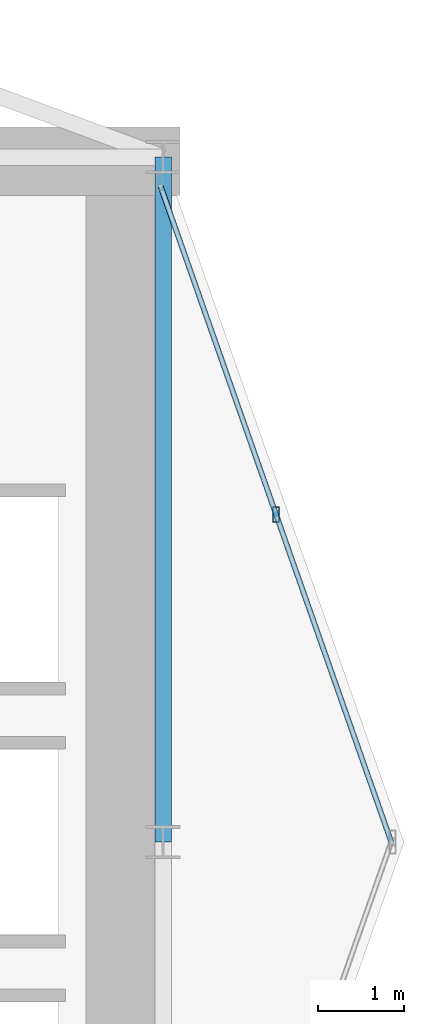
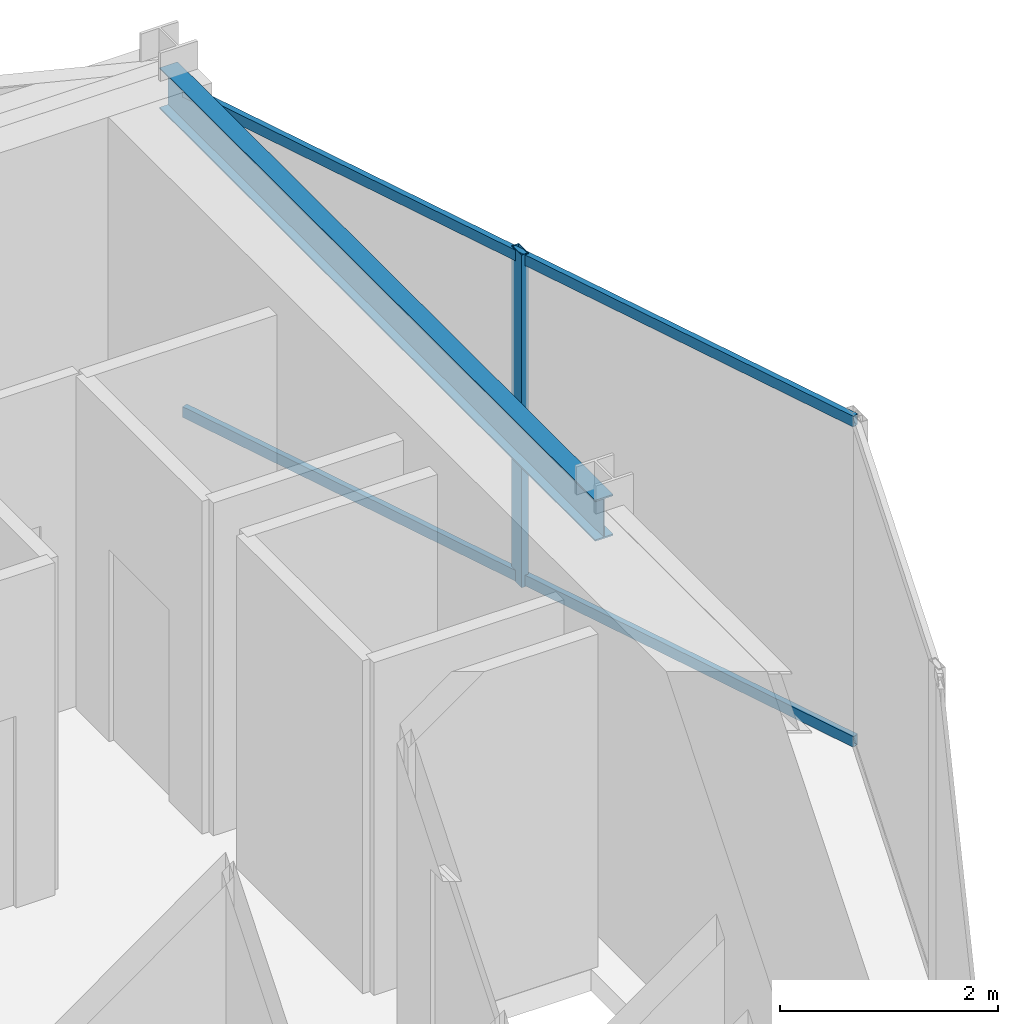
# One storey, part 15 of 23: 3 members, 1 beam, 1 element without a shape of its own.
"""IFC4 building model written with IfcOpenShell, lengths in metres."""

from ifc_helpers import new_model, si_unit, direction, frame, origin, origin_2d, place, context, subcontext, project, spatial, hollow_rectangle, i_section, extrude, material, layer, layer_set, material_profile, profile_set, type_object, element, aggregate, save


model = new_model("IFC4")

# Units and contexts
model_context = context("Model", 3, precision=1e-05, world=origin(), true_north=direction((0.0, 1.0)))
body_context = subcontext(model_context, "Body", "Model", "MODEL_VIEW")
ifc_project = project(units=[si_unit("LENGTHUNIT", "METRE"), si_unit("AREAUNIT", "SQUARE_METRE"), si_unit("VOLUMEUNIT", "CUBIC_METRE"), si_unit("PLANEANGLEUNIT", "RADIAN"), si_unit("MASSUNIT", "GRAM", prefix="KILO")], contexts=[model_context])

# Site, building, storey
site_placement = place(None, origin())
site = spatial("IfcSite", under=ifc_project, at=site_placement, CompositionType="ELEMENT")
building_placement = place(site_placement, origin())
building = spatial("IfcBuilding", under=site, at=building_placement, Name="Veymaron Broadcast Tower", CompositionType="ELEMENT")
storey_placement = place(building_placement, frame((0.0, 0.0, 177.60009765625)))
storey = spatial("IfcBuildingStorey", under=building, at=storey_placement, Name="L41", CompositionType="ELEMENT", Elevation=177.60009765625)

# Beam
ifc_material_1 = material(Name="Structural steel ASTM A992 Gr 50", Category="steel")
ifc_material_profile_1 = material_profile(ifc_material_1, i_section(OverallWidth=0.19091796875, OverallDepth=0.4599609375, WebThickness=0.010009765625, FlangeThickness=0.01611328125, at=origin_2d()), Name="W460X82")
ifc_profile_set_1 = profile_set([ifc_material_profile_1], Name="Structural steel ASTM A992 Gr 50")
beam_type = type_object("IfcBeamType", Name="BM-SP1", PredefinedType="SPANDREL", material=ifc_profile_set_1)
beam_placement = place(storey_placement, frame((54.60009765625, 24.0, 3.5), z_axis=(0.0, 1.0, 0.0), x_axis=(-1.0, 0.0, 0.0)))
element("IfcBeam", 1, at=beam_placement, inside=storey, type_object=beam_type, Name="L41 primary structural floor girder", PredefinedType="SPANDREL", context=body_context, shape_type="SweptSolid", body=[
    extrude(i_section(OverallWidth=0.19091796875, OverallDepth=0.4599609375, WebThickness=0.010009765625, FlangeThickness=0.01611328125, at=origin_2d()), origin(), (0.0, 0.0, 1.0), 8.0),
])

# Curtain wall, members
ifc_material_2 = material(Name="Anodised aluminium AA 6063-T6 and laminated low-E dark glass", Category="aluminium")
ifc_layer = layer(ifc_material_2, 0.179931640625)
ifc_layer_set = layer_set([ifc_layer], Name="Anodised aluminium AA 6063-T6 and laminated low-E dark glass")
curtain_wall_type = type_object("IfcCurtainWallType", Name="CW-SYS-03", PredefinedType="NOTDEFINED", material=ifc_layer_set)
curtain_wall_placement = place(storey_placement, origin())
curtain_wall = element("IfcCurtainWall", 2, at=curtain_wall_placement, inside=storey, type_object=curtain_wall_type, Name="L41 dark-glass curtain wall CW-L41-E3-1", PredefinedType="NOTDEFINED")
ifc_material_3 = material(Name="Anodised aluminium AA 6063-T6", Category="aluminium")
ifc_material_profile_2 = material_profile(ifc_material_3, hollow_rectangle(XDim=0.074951171875, YDim=0.179931640625, WallThickness=0.0048828125, at=origin_2d()), Name="AL180X75X5")
ifc_profile_set_2 = profile_set([ifc_material_profile_2], Name="Anodised aluminium AA 6063-T6")
member_type_1 = type_object("IfcMemberType", Name="CW-MUL-02", PredefinedType="MULLION", material=ifc_profile_set_2)
member_1_placement = place(storey_placement, frame((55.919189453125, 27.827880859375, 0.0), z_axis=(0.0, 0.0, 1.0), x_axis=(1.0, 0.0, 0.0)))
member_1 = element("IfcMember", 3, at=member_1_placement, type_object=member_type_1, Name="CW-L41-E3-1 mullion 1", PredefinedType="MULLION", context=body_context, shape_type="SweptSolid", body=[
    extrude(hollow_rectangle(XDim=0.074951171875, YDim=0.179931640625, WallThickness=0.0048828125, at=origin_2d()), origin(), (0.0, 0.0, 1.0), 3.72998046875),
])
ifc_material_profile_3 = material_profile(ifc_material_3, hollow_rectangle(XDim=0.06005859375, YDim=0.1201171875, WallThickness=0.00390625, at=origin_2d()), Name="AL120X60X4")
ifc_profile_set_3 = profile_set([ifc_material_profile_3], Name="Anodised aluminium AA 6063-T6")
member_type_2 = type_object("IfcMemberType", Name="CW-TRN-02", PredefinedType="USERDEFINED", material=ifc_profile_set_3)
member_2_placement = place(storey_placement, frame((57.265380859375, 24.000732421875, 0.06982421875), z_axis=(-0.331828364923, 0.943339777722, 0.0), x_axis=(-0.943339777722, -0.331828364923, 0.0)))
member_2 = element("IfcMember", 4, at=member_2_placement, type_object=member_type_2, Name="CW-L41-E3-1 transom B", ObjectType="TRANSOM", PredefinedType="USERDEFINED", context=body_context, shape_type="SweptSolid", body=[
    extrude(hollow_rectangle(XDim=0.06005859375, YDim=0.1201171875, WallThickness=0.00390625, at=origin_2d()), origin(), (0.0, 0.0, 1.0), 8.11376953125),
])
member_3_placement = place(storey_placement, frame((57.265380859375, 24.000732421875, 3.659912109375), z_axis=(-0.331828364923, 0.943339777722, 0.0), x_axis=(-0.943339777722, -0.331828364923, 0.0)))
member_3 = element("IfcMember", 5, at=member_3_placement, type_object=member_type_2, Name="CW-L41-E3-1 transom T", ObjectType="TRANSOM", PredefinedType="USERDEFINED", context=body_context, shape_type="SweptSolid", body=[
    extrude(hollow_rectangle(XDim=0.06005859375, YDim=0.1201171875, WallThickness=0.00390625, at=origin_2d()), origin(), (0.0, 0.0, 1.0), 8.11376953125),
])
aggregate(curtain_wall, [member_1, member_2, member_3])

save(model, "model.ifc")
